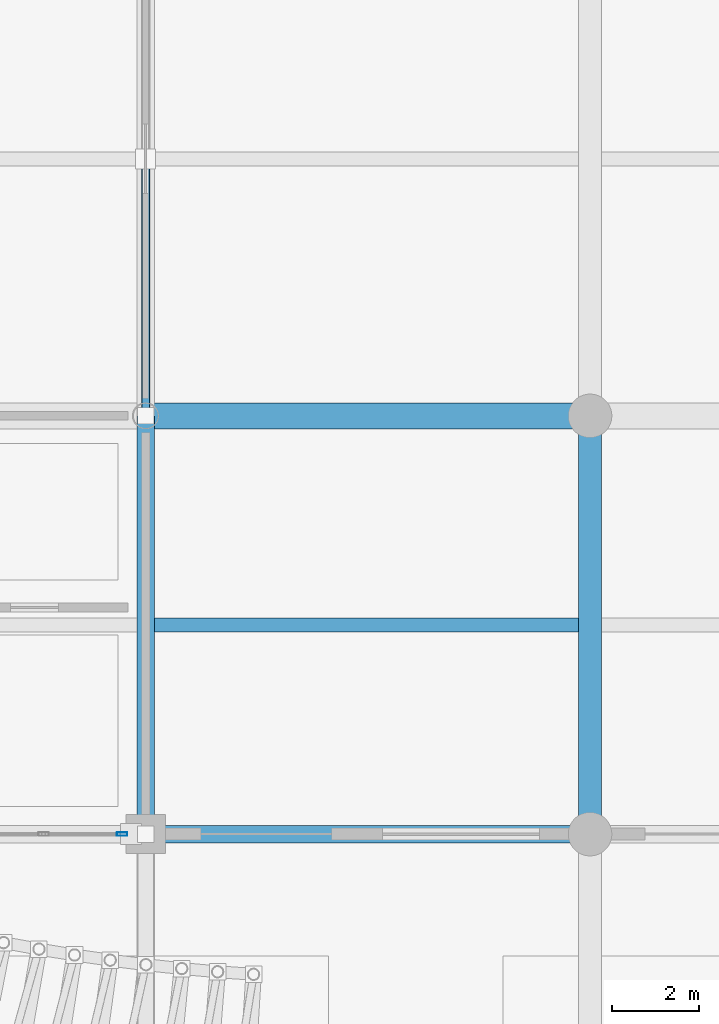
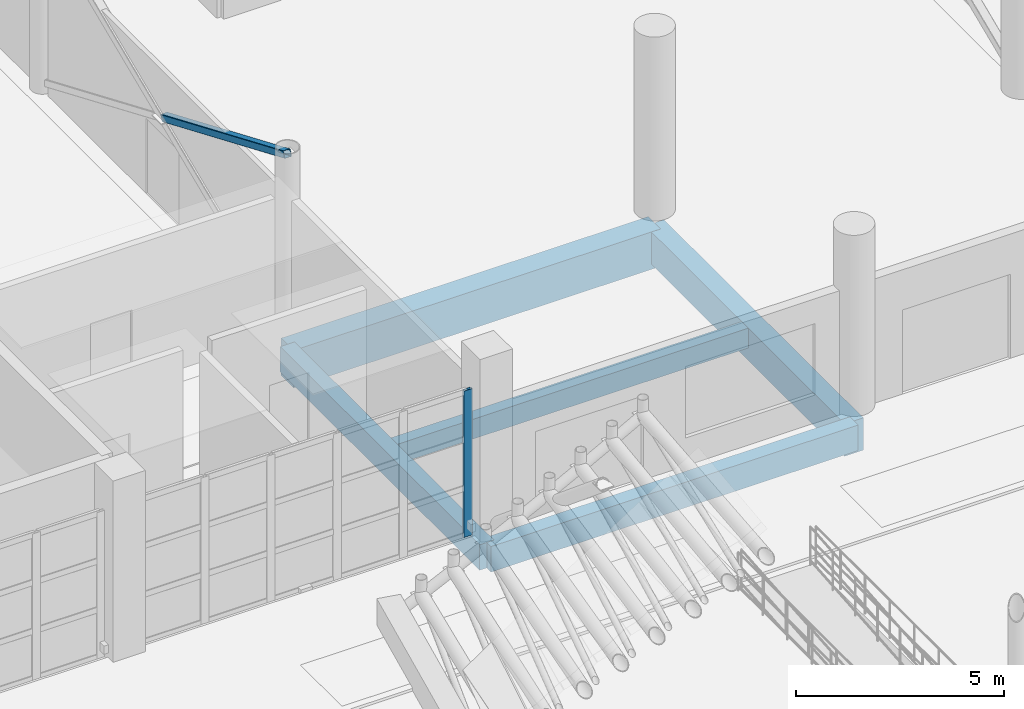
# One storey, part 52 of 124: 5 beams, 2 members, 1 element without a shape of its own.
"""IFC4 building model written with IfcOpenShell, lengths in metres."""

from ifc_helpers import new_model, si_unit, direction, frame, origin, origin_2d, place, context, subcontext, project, spatial, rectangle, hollow_rectangle, extrude, material, material_profile, profile_set, type_object, element, aggregate, save


model = new_model("IFC4")

# Units and contexts
model_context = context("Model", 3, precision=1e-05, world=origin(), true_north=direction((0.0, 1.0)))
body_context = subcontext(model_context, "Body", "Model", "MODEL_VIEW")
ifc_project = project(units=[si_unit("LENGTHUNIT", "METRE"), si_unit("AREAUNIT", "SQUARE_METRE"), si_unit("VOLUMEUNIT", "CUBIC_METRE"), si_unit("PLANEANGLEUNIT", "RADIAN"), si_unit("MASSUNIT", "GRAM", prefix="KILO")], contexts=[model_context])

# Site, building, storey
site_placement = place(None, origin())
site = spatial("IfcSite", under=ifc_project, at=site_placement, CompositionType="ELEMENT")
building_placement = place(site_placement, origin())
building = spatial("IfcBuilding", under=site, at=building_placement, Name="Brelvane Convention Centre", CompositionType="ELEMENT")
storey_placement = place(building_placement, origin())
storey = spatial("IfcBuildingStorey", under=building, at=storey_placement, Name="L00", CompositionType="ELEMENT", Elevation=0.0)

# Curtain wall, member
ifc_material_1 = material(Name="Anodised Aluminium Alloy 6063-T6", Category="aluminium")
curtain_wall_type = type_object("IfcCurtainWallType", Name="Curtain Wall CW-CONC", PredefinedType="USERDEFINED", material=ifc_material_1)
curtain_wall_placement = place(storey_placement, origin())
curtain_wall = element("IfcCurtainWall", 1, at=curtain_wall_placement, inside=storey, type_object=curtain_wall_type, Name="Curtain Wall CW-CONC L00-V1S-14", ObjectType="UNITISED", PredefinedType="USERDEFINED")
ifc_material_2 = material(Name="Anodised Aluminium Alloy 6063-T6", Category="aluminium")
ifc_material_profile_1 = material_profile(ifc_material_2, hollow_rectangle(XDim=0.080078125, YDim=0.239990234375, WallThickness=0.006103515625, InnerFilletRadius=0.006103515625, OuterFilletRadius=0.011962890625, at=origin_2d()), Name="ALU-M 240x80x6.0")
ifc_profile_set_1 = profile_set([ifc_material_profile_1], Name="Anodised Aluminium Alloy 6063-T6")
member_type_1 = type_object("IfcMemberType", Name="Curtain Mullion CW-M1", PredefinedType="MULLION", material=ifc_profile_set_1)
member_1_placement = place(storey_placement, frame((142.260009765625, 19.199951171875, 0.0), z_axis=(0.0, 0.0, 1.0), x_axis=(0.0, 1.0, 0.0)))
member_1 = element("IfcMember", 2, at=member_1_placement, type_object=member_type_1, Name="CW-CONC mullion 6", PredefinedType="MULLION", context=body_context, shape_type="SweptSolid", body=[
    extrude(hollow_rectangle(XDim=0.080078125, YDim=0.239990234375, WallThickness=0.006103515625, InnerFilletRadius=0.006103515625, OuterFilletRadius=0.011962890625, at=origin_2d()), origin(), (0.0, 0.0, 1.0), 4.300048828125),
])
aggregate(curtain_wall, [member_1])

# Beams
ifc_material_3 = material(Name="Concrete M50", Category="concrete")
ifc_material_profile_2 = material_profile(ifc_material_3, rectangle(XDim=0.60009765625, YDim=1.10009765625, at=origin_2d()), Name="RC 600x1100")
ifc_profile_set_2 = profile_set([ifc_material_profile_2], Name="Concrete M50")
beam_type_1 = type_object("IfcBeamType", Name="RC Beam B-RC2 (RC 600x1100)", PredefinedType="BEAM", material=ifc_profile_set_2)
beam_1_placement = place(storey_placement, frame((142.800048828125, 28.800048828125, -0.949951171875), z_axis=(1.0, 0.0, 0.0), x_axis=(0.0, 1.0, 0.0)))
element("IfcBeam", 3, at=beam_1_placement, inside=storey, type_object=beam_type_1, Name="L00 Beam 15-16/D", PredefinedType="BEAM", context=body_context, shape_type="SweptSolid", body=[
    extrude(rectangle(XDim=0.60009765625, YDim=1.10009765625, at=origin_2d()), origin(), (0.0, 0.0, 1.0), 10.199951171875),
])
ifc_material_4 = material(Name="Concrete M50", Category="concrete")
ifc_material_profile_3 = material_profile(ifc_material_4, rectangle(XDim=0.52001953125, YDim=0.949951171875, at=origin_2d()), Name="RC 520x950")
ifc_profile_set_3 = profile_set([ifc_material_profile_3], Name="Concrete M50")
beam_type_2 = type_object("IfcBeamType", Name="RC Beam B-RC9 (RC 520x950)", PredefinedType="BEAM", material=ifc_profile_set_3)
beam_2_placement = place(storey_placement, frame((153.0, 19.199951171875, -0.875), z_axis=(0.0, 1.0, 0.0), x_axis=(-1.0, 0.0, 0.0)))
element("IfcBeam", 4, at=beam_2_placement, inside=storey, type_object=beam_type_2, Name="L00 Girder 16/C-D", PredefinedType="BEAM", context=body_context, shape_type="SweptSolid", body=[
    extrude(rectangle(XDim=0.52001953125, YDim=0.949951171875, at=origin_2d()), origin(), (0.0, 0.0, 1.0), 9.60009765625),
])
ifc_material_5 = material(Name="Concrete M40", Category="concrete")
ifc_material_profile_4 = material_profile(ifc_material_5, rectangle(XDim=0.320068359375, YDim=0.580078125, at=origin_2d()), Name="RC 320x580")
ifc_profile_set_4 = profile_set([ifc_material_profile_4], Name="Concrete M40")
beam_type_3 = type_object("IfcBeamType", Name="RC Joist J-RC3 (RC 320x580)", PredefinedType="JOIST", material=ifc_profile_set_4)
beam_3_placement = place(storey_placement, frame((143.0, 24.0, -0.68994140625), z_axis=(1.0, 0.0, 0.0), x_axis=(0.0, 1.0, 0.0)))
element("IfcBeam", 5, at=beam_3_placement, inside=storey, type_object=beam_type_3, Name="L00 Secondary Joist 15-16/CD", PredefinedType="JOIST", context=body_context, shape_type="SweptSolid", body=[
    extrude(rectangle(XDim=0.320068359375, YDim=0.580078125, at=origin_2d()), origin(), (0.0, 0.0, 1.0), 9.739990234375),
])
ifc_material_6 = material(Name="Concrete M40", Category="concrete")
ifc_material_profile_5 = material_profile(ifc_material_6, rectangle(XDim=0.39990234375, YDim=0.75, at=origin_2d()), Name="RC 400x750")
ifc_profile_set_5 = profile_set([ifc_material_profile_5], Name="Concrete M40")
beam_type_4 = type_object("IfcBeamType", Name="RC Spandrel SP-RC1 (RC 400x750)", PredefinedType="SPANDREL", material=ifc_profile_set_5)
beam_4_placement = place(storey_placement, frame((142.800048828125, 19.199951171875, -0.77490234375), z_axis=(1.0, 0.0, 0.0), x_axis=(0.0, 1.0, 0.0)))
element("IfcBeam", 6, at=beam_4_placement, inside=storey, type_object=beam_type_4, Name="L00 Beam 15-16/C", PredefinedType="SPANDREL", context=body_context, shape_type="SweptSolid", body=[
    extrude(rectangle(XDim=0.39990234375, YDim=0.75, at=origin_2d()), origin(), (0.0, 0.0, 1.0), 10.199951171875),
])
beam_5_placement = place(storey_placement, frame((142.800048828125, 19.199951171875, -0.77490234375), z_axis=(0.0, 1.0, 0.0), x_axis=(-1.0, 0.0, 0.0)))
element("IfcBeam", 7, at=beam_5_placement, inside=storey, type_object=beam_type_4, Name="L00 Girder 15/C-D", PredefinedType="SPANDREL", context=body_context, shape_type="SweptSolid", body=[
    extrude(rectangle(XDim=0.39990234375, YDim=0.75, at=origin_2d()), origin(), (0.0, 0.0, 1.0), 9.60009765625),
])

# Member
ifc_material_7 = material(Name="Steel E350 (350 MPa)", Category="steel")
ifc_material_profile_6 = material_profile(ifc_material_7, hollow_rectangle(XDim=0.199951171875, YDim=0.199951171875, WallThickness=0.010009765625, InnerFilletRadius=0.010009765625, OuterFilletRadius=0.02001953125, at=origin_2d()), Name="SHS 200x200x10.0")
ifc_profile_set_6 = profile_set([ifc_material_profile_6], Name="Steel E350 (350 MPa)")
member_type_2 = type_object("IfcMemberType", Name="Steel Brace BR-ST3 (SHS 200x200x10.0)", PredefinedType="BRACE", material=ifc_profile_set_6)
member_2_placement = place(storey_placement, frame((142.800048828125, 34.699951171875, 2.699951171875), z_axis=(0.0, -0.92074940082, 0.390154508996), x_axis=(1.0, 0.0, 0.0)))
element("IfcMember", 8, at=member_2_placement, inside=storey, type_object=member_type_2, Name="Lateral X-Brace Split Upper V1E-1-L00-B2", PredefinedType="BRACE", context=body_context, shape_type="SweptSolid", body=[
    extrude(hollow_rectangle(XDim=0.199951171875, YDim=0.199951171875, WallThickness=0.010009765625, InnerFilletRadius=0.010009765625, OuterFilletRadius=0.02001953125, at=origin_2d()), origin(), (0.0, 0.0, 1.0), 6.40771484375),
])

save(model, "model.ifc")
